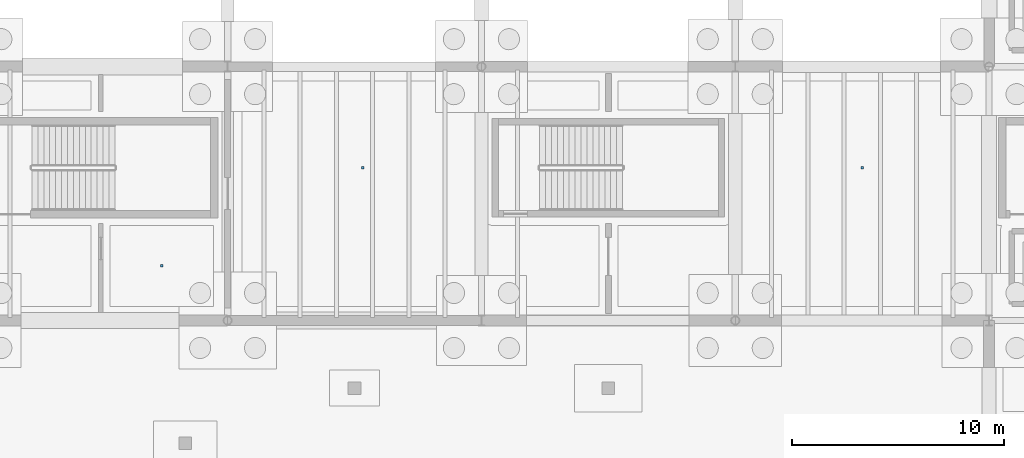
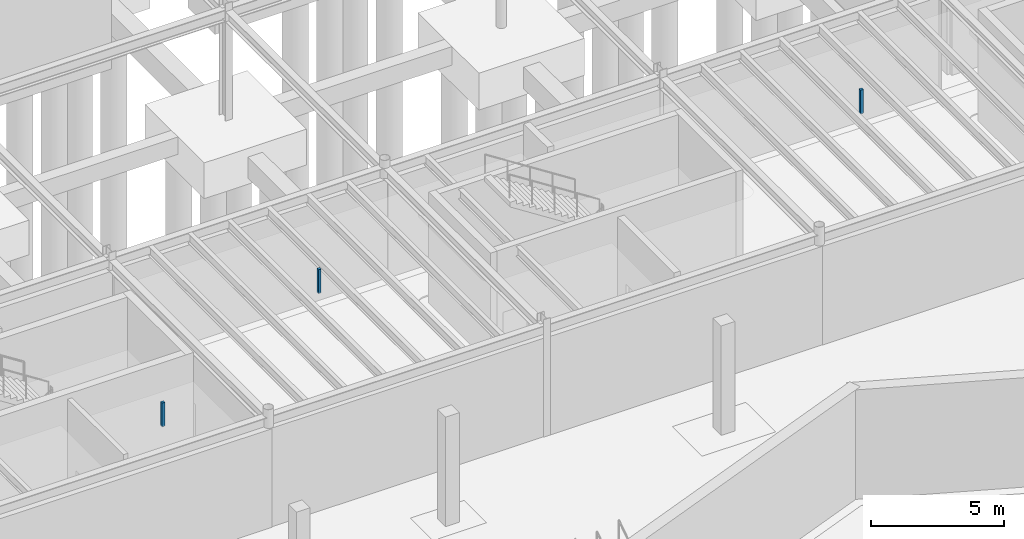
# One storey, part 45 of 67: 3 discrete accessories.
"""IFC4 building model written with IfcOpenShell, lengths in metres."""

from ifc_helpers import new_model, si_unit, direction, frame, origin, origin_2d, place, context, subcontext, project, spatial, rectangle, extrude, material, type_object, element, save


model = new_model("IFC4")

# Units and contexts
model_context = context("Model", 3, precision=1e-05, world=origin(), true_north=direction((0.0, 1.0)))
body_context = subcontext(model_context, "Body", "Model", "MODEL_VIEW")
ifc_project = project(units=[si_unit("LENGTHUNIT", "METRE"), si_unit("AREAUNIT", "SQUARE_METRE"), si_unit("VOLUMEUNIT", "CUBIC_METRE"), si_unit("PLANEANGLEUNIT", "RADIAN"), si_unit("MASSUNIT", "GRAM", prefix="KILO")], contexts=[model_context])

# Site, building, storey
site_placement = place(None, origin())
site = spatial("IfcSite", under=ifc_project, at=site_placement, CompositionType="ELEMENT")
building_placement = place(site_placement, origin())
building = spatial("IfcBuilding", under=site, at=building_placement, Name="Zlatogorsky Bluff Art Gallery", CompositionType="ELEMENT")
storey_placement = place(building_placement, frame((0.0, 0.0, -5.39990234375)))
storey = spatial("IfcBuildingStorey", under=building, at=storey_placement, Name="B1", CompositionType="ELEMENT", Elevation=-5.39990234375)

# Discrete accessories
ifc_material = material(Name="Steel S355", Category="steel")
discrete_accessory_type = type_object("IfcDiscreteAccessoryType", Name="Stainless Facade Fin Bracket BRK-01", PredefinedType="BRACKET", material=ifc_material)
for number, where, z_axis, x_axis, name in (
    (1, (80.889892578125, 86.580078125, 4.0546875), (0.0, 0.0, 1.0), (1.0, 0.0, 0.0), "Acoustic ceiling suspension hanger B1-C1-12"),
    (2, (90.3798828125, 91.22509765625, 4.0546875), (0.0, 0.0, 1.0), (1.0, 0.0, 0.0), "Acoustic ceiling suspension hanger B1-S3-11"),
    (3, (114.0, 91.22509765625, 4.0546875), (0.0, 0.0, 1.0), (1.0, 0.0, 0.0), "Acoustic ceiling suspension hanger B1-S3-12"),
):
    element("IfcDiscreteAccessory", number, at=place(storey_placement, frame(where, z_axis=z_axis, x_axis=x_axis)), inside=storey, type_object=discrete_accessory_type, Name=name, PredefinedType="BRACKET", context=body_context, shape_type="SweptSolid", body=[
        extrude(rectangle(XDim=0.1201171875, YDim=0.1201171875, at=origin_2d()), origin(), (0.0, 0.0, 1.0), 1.090087890625),
    ])

save(model, "model.ifc")
